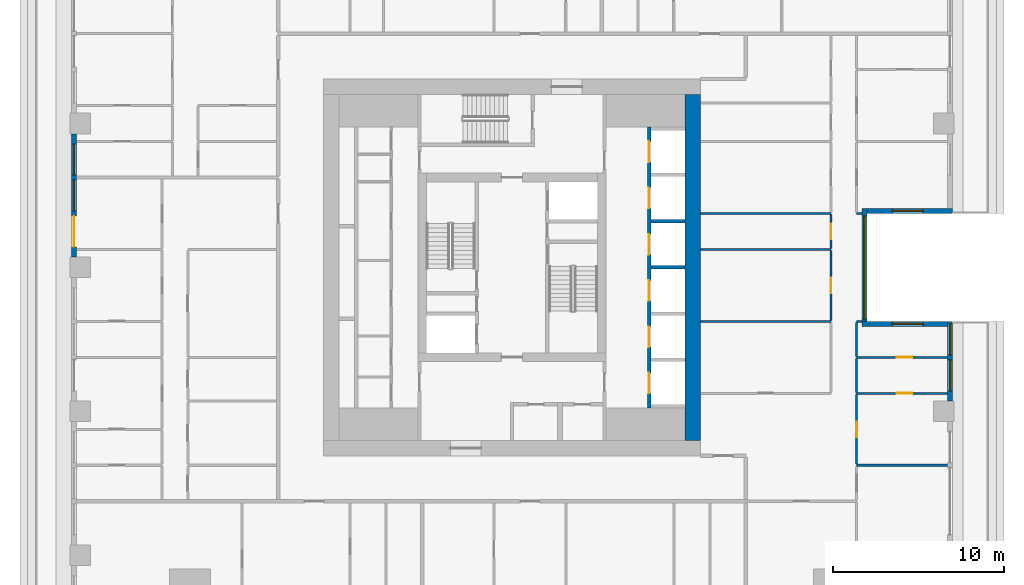
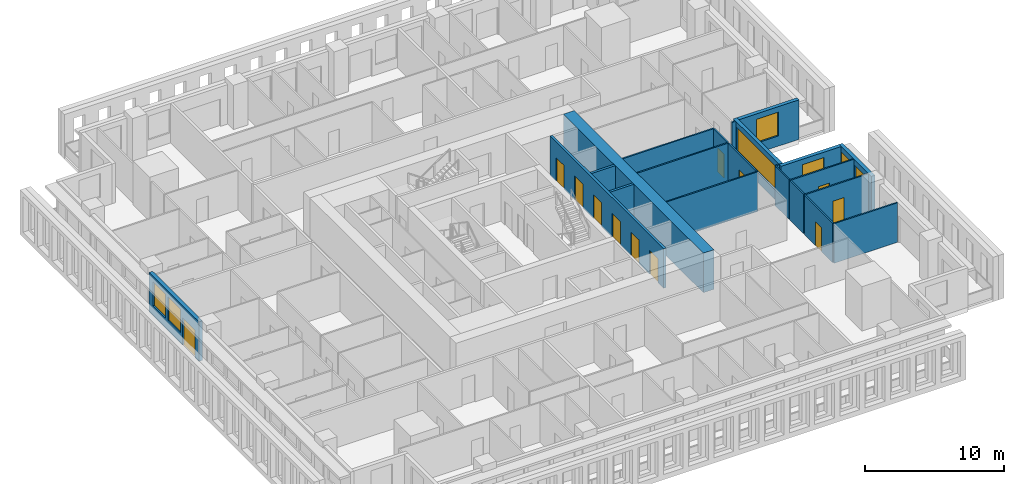
# One storey, part 6 of 16: 22 walls, 12 doors, 7 windows, 19 openings.
"""IFC4 building model written with IfcOpenShell, lengths in metres."""

from ifc_helpers import new_model, si_unit, direction, frame, frame_2d, origin, place, context, subcontext, project, spatial, rectangle, extrude, material, layer, layer_set, type_object, element, fill, save


model = new_model("IFC4")

# Units and contexts
model_context = context("Model", 3, precision=1e-05, world=origin(), true_north=direction((0.0, 1.0)))
body_context = subcontext(model_context, "Body", "Model", "MODEL_VIEW")
ifc_project = project(units=[si_unit("LENGTHUNIT", "METRE"), si_unit("AREAUNIT", "SQUARE_METRE"), si_unit("VOLUMEUNIT", "CUBIC_METRE"), si_unit("PLANEANGLEUNIT", "RADIAN"), si_unit("MASSUNIT", "GRAM", prefix="KILO")], contexts=[model_context])

# Site, building, storey
site_placement = place(None, origin())
site = spatial("IfcSite", under=ifc_project, at=site_placement, CompositionType="ELEMENT")
building_placement = place(site_placement, origin())
building = spatial("IfcBuilding", under=site, at=building_placement, Name="Khepri Terraces", CompositionType="ELEMENT")
storey_placement = place(building_placement, frame((0.0, 0.0, 192.300048828125)))
storey = spatial("IfcBuildingStorey", under=building, at=storey_placement, Name="L45", CompositionType="ELEMENT", Elevation=192.300048828125)

# Wall, openings, doors
ifc_material_1 = material(Name="Concrete C50/60", Category="concrete")
ifc_layer_1 = layer(ifc_material_1, 0.199951171875, Name="Concrete C50/60", Category="concrete")
ifc_layer_set_1 = layer_set([ifc_layer_1], Name="Concrete C50/60")
wall_type_1 = type_object("IfcWallType", Name="Core wall 200 C50/60", PredefinedType="SHEAR", material=ifc_layer_set_1)
wall_1_placement = place(storey_placement, frame((8.0, -8.199951171875, 0.0), z_axis=(0.0, 0.0, 1.0), x_axis=(0.0, 1.0, 0.0)))
wall_1 = element("IfcWall", 1, at=wall_1_placement, inside=storey, type_object=wall_type_1, Name="Core wall SH02 L45", PredefinedType="SHEAR", context=body_context, shape_type="SweptSolid", body=[
    extrude(rectangle(XDim=16.39990234375, YDim=0.199951171875, at=frame_2d((8.199951171875, 0.0))), origin(), (0.0, 0.0, 1.0), 3.47998046875),
])
opening_1_placement = place(wall_1_placement, frame((0.85009765625, 0.0, 0.0)))
opening_1 = element("IfcOpeningElement", 2, at=opening_1_placement, cuts=wall_1, Name="Opening L45-C01", PredefinedType="OPENING", context=body_context, shape_type="SweptSolid", body=[
    extrude(rectangle(XDim=1.199951171875, YDim=2.10009765625, at=frame_2d((0.60009765625, 1.050048828125))), frame((0.0, 0.10986328125, 0.0), z_axis=(0.0, -1.0, 0.0), x_axis=(1.0, 0.0, 0.0)), (0.0, 0.0, 1.0), 0.219970703125),
])
opening_2_placement = place(wall_1_placement, frame((3.550048828125, 0.0, 0.0)))
opening_2 = element("IfcOpeningElement", 3, at=opening_2_placement, cuts=wall_1, Name="Opening L45-C02", PredefinedType="OPENING", context=body_context, shape_type="SweptSolid", body=[
    extrude(rectangle(XDim=1.199951171875, YDim=2.10009765625, at=frame_2d((0.60009765625, 1.050048828125))), frame((0.0, 0.10986328125, 0.0), z_axis=(0.0, -1.0, 0.0), x_axis=(1.0, 0.0, 0.0)), (0.0, 0.0, 1.0), 0.219970703125),
])
opening_3_placement = place(wall_1_placement, frame((6.25, 0.0, 0.0)))
opening_3 = element("IfcOpeningElement", 4, at=opening_3_placement, cuts=wall_1, Name="Opening L45-C03", PredefinedType="OPENING", context=body_context, shape_type="SweptSolid", body=[
    extrude(rectangle(XDim=1.199951171875, YDim=2.10009765625, at=frame_2d((0.60009765625, 1.050048828125))), frame((0.0, 0.10986328125, 0.0), z_axis=(0.0, -1.0, 0.0), x_axis=(1.0, 0.0, 0.0)), (0.0, 0.0, 1.0), 0.219970703125),
])
opening_4_placement = place(wall_1_placement, frame((8.949951171875, 0.0, 0.0)))
opening_4 = element("IfcOpeningElement", 5, at=opening_4_placement, cuts=wall_1, Name="Opening L45-C04", PredefinedType="OPENING", context=body_context, shape_type="SweptSolid", body=[
    extrude(rectangle(XDim=1.199951171875, YDim=2.10009765625, at=frame_2d((0.60009765625, 1.050048828125))), frame((0.0, 0.10986328125, 0.0), z_axis=(0.0, -1.0, 0.0), x_axis=(1.0, 0.0, 0.0)), (0.0, 0.0, 1.0), 0.219970703125),
])
opening_5_placement = place(wall_1_placement, frame((11.64990234375, 0.0, 0.0)))
opening_5 = element("IfcOpeningElement", 6, at=opening_5_placement, cuts=wall_1, Name="Opening L45-C05", PredefinedType="OPENING", context=body_context, shape_type="SweptSolid", body=[
    extrude(rectangle(XDim=1.199951171875, YDim=2.10009765625, at=frame_2d((0.60009765625, 1.050048828125))), frame((0.0, 0.10986328125, 0.0), z_axis=(0.0, -1.0, 0.0), x_axis=(1.0, 0.0, 0.0)), (0.0, 0.0, 1.0), 0.219970703125),
])
opening_6_placement = place(wall_1_placement, frame((14.35009765625, 0.0, 0.0)))
opening_6 = element("IfcOpeningElement", 7, at=opening_6_placement, cuts=wall_1, Name="Opening L45-C06", PredefinedType="OPENING", context=body_context, shape_type="SweptSolid", body=[
    extrude(rectangle(XDim=1.199951171875, YDim=2.10009765625, at=frame_2d((0.60009765625, 1.050048828125))), frame((0.0, 0.10986328125, 0.0), z_axis=(0.0, -1.0, 0.0), x_axis=(1.0, 0.0, 0.0)), (0.0, 0.0, 1.0), 0.219970703125),
])
ifc_material_2 = material(Name="Stainless steel 304", Category="steel")
door_type_1 = type_object("IfcDoorType", Name="DR-CORE-LANDING-1200", OperationType="NOTDEFINED", PredefinedType="DOOR", material=ifc_material_2)
door_1_placement = place(opening_1_placement, origin())
door_1 = element("IfcDoor", 8, at=door_1_placement, inside=storey, type_object=door_type_1, Name="Lift landing door L45-C01", OperationType="SLIDING_TO_LEFT", OverallHeight=2.10009765625, OverallWidth=1.199951171875, PredefinedType="DOOR", context=body_context, shape_type="SweptSolid", body=[
    extrude(rectangle(XDim=1.199951171875, YDim=2.10009765625, at=frame_2d((0.60009765625, 1.050048828125))), frame((0.0, 0.02490234375, 0.0), z_axis=(0.0, -1.0, 0.0), x_axis=(1.0, 0.0, 0.0)), (0.0, 0.0, 1.0), 0.050048828125),
])
fill(opening_1, door_1)
door_2_placement = place(opening_2_placement, origin())
door_2 = element("IfcDoor", 9, at=door_2_placement, inside=storey, type_object=door_type_1, Name="Lift landing door L45-C02", OperationType="SLIDING_TO_LEFT", OverallHeight=2.10009765625, OverallWidth=1.199951171875, PredefinedType="DOOR", context=body_context, shape_type="SweptSolid", body=[
    extrude(rectangle(XDim=1.199951171875, YDim=2.10009765625, at=frame_2d((0.60009765625, 1.050048828125))), frame((0.0, 0.02490234375, 0.0), z_axis=(0.0, -1.0, 0.0), x_axis=(1.0, 0.0, 0.0)), (0.0, 0.0, 1.0), 0.050048828125),
])
fill(opening_2, door_2)
door_3_placement = place(opening_3_placement, origin())
door_3 = element("IfcDoor", 10, at=door_3_placement, inside=storey, type_object=door_type_1, Name="Lift landing door L45-C03", OperationType="SLIDING_TO_LEFT", OverallHeight=2.10009765625, OverallWidth=1.199951171875, PredefinedType="DOOR", context=body_context, shape_type="SweptSolid", body=[
    extrude(rectangle(XDim=1.199951171875, YDim=2.10009765625, at=frame_2d((0.60009765625, 1.050048828125))), frame((0.0, 0.02490234375, 0.0), z_axis=(0.0, -1.0, 0.0), x_axis=(1.0, 0.0, 0.0)), (0.0, 0.0, 1.0), 0.050048828125),
])
fill(opening_3, door_3)
door_4_placement = place(opening_4_placement, origin())
door_4 = element("IfcDoor", 11, at=door_4_placement, inside=storey, type_object=door_type_1, Name="Lift landing door L45-C04", OperationType="SLIDING_TO_LEFT", OverallHeight=2.10009765625, OverallWidth=1.199951171875, PredefinedType="DOOR", context=body_context, shape_type="SweptSolid", body=[
    extrude(rectangle(XDim=1.199951171875, YDim=2.10009765625, at=frame_2d((0.60009765625, 1.050048828125))), frame((0.0, 0.02490234375, 0.0), z_axis=(0.0, -1.0, 0.0), x_axis=(1.0, 0.0, 0.0)), (0.0, 0.0, 1.0), 0.050048828125),
])
fill(opening_4, door_4)
door_5_placement = place(opening_5_placement, origin())
door_5 = element("IfcDoor", 12, at=door_5_placement, inside=storey, type_object=door_type_1, Name="Lift landing door L45-C05", OperationType="SLIDING_TO_LEFT", OverallHeight=2.10009765625, OverallWidth=1.199951171875, PredefinedType="DOOR", context=body_context, shape_type="SweptSolid", body=[
    extrude(rectangle(XDim=1.199951171875, YDim=2.10009765625, at=frame_2d((0.60009765625, 1.050048828125))), frame((0.0, 0.02490234375, 0.0), z_axis=(0.0, -1.0, 0.0), x_axis=(1.0, 0.0, 0.0)), (0.0, 0.0, 1.0), 0.050048828125),
])
fill(opening_5, door_5)
door_6_placement = place(opening_6_placement, origin())
door_6 = element("IfcDoor", 13, at=door_6_placement, inside=storey, type_object=door_type_1, Name="Lift landing door L45-C06", OperationType="SLIDING_TO_LEFT", OverallHeight=2.10009765625, OverallWidth=1.199951171875, PredefinedType="DOOR", context=body_context, shape_type="SweptSolid", body=[
    extrude(rectangle(XDim=1.199951171875, YDim=2.10009765625, at=frame_2d((0.60009765625, 1.050048828125))), frame((0.0, 0.02490234375, 0.0), z_axis=(0.0, -1.0, 0.0), x_axis=(1.0, 0.0, 0.0)), (0.0, 0.0, 1.0), 0.050048828125),
])
fill(opening_6, door_6)

# Walls
for number, where, z_axis, x_axis, name in (
    (14, (8.10009765625, 0.0, 0.0), (0.0, 0.0, 1.0), (1.0, 0.0, 0.0), "Core wall SH09 L45"),
    (15, (8.10009765625, 2.699951171875, 0.0), (0.0, 0.0, 1.0), (1.0, 0.0, 0.0), "Core wall SH13 L45"),
):
    element("IfcWall", number, at=place(storey_placement, frame(where, z_axis=z_axis, x_axis=x_axis)), inside=storey, type_object=wall_type_1, Name=name, PredefinedType="SHEAR", context=body_context, shape_type="SweptSolid", body=[
        extrude(rectangle(XDim=2.0, YDim=0.199951171875, at=frame_2d((1.0, 0.0))), origin(), (0.0, 0.0, 1.0), 3.47998046875),
    ])
ifc_layer_2 = layer(ifc_material_1, 0.89990234375, Name="Concrete C50/60", Category="concrete")
ifc_layer_set_2 = layer_set([ifc_layer_2], Name="Concrete C50/60")
wall_type_2 = type_object("IfcWallType", Name="Core wall 900 C50/60", PredefinedType="SHEAR", material=ifc_layer_set_2)
wall_2_placement = place(storey_placement, frame((10.550048828125, -10.10009765625, 0.0), z_axis=(0.0, 0.0, 1.0), x_axis=(0.0, 1.0, 0.0)))
element("IfcWall", 16, at=wall_2_placement, inside=storey, type_object=wall_type_2, Name="Core wall OW-E L45", PredefinedType="SHEAR", context=body_context, shape_type="SweptSolid", body=[
    extrude(rectangle(XDim=20.2001953125, YDim=0.89990234375, at=frame_2d((10.10009765625, 0.0))), origin(), (0.0, 0.0, 1.0), 3.47998046875),
])

# Wall, openings, windows
ifc_material_3 = material(Name="Precast concrete C50/60 warm stone", Category="masonry")
ifc_layer_3 = layer(ifc_material_3, 0.300048828125, Name="Precast concrete C50/60 warm stone", Category="masonry")
ifc_layer_set_3 = layer_set([ifc_layer_3], Name="Precast concrete C50/60 warm stone")
wall_type_3 = type_object("IfcWallType", Name="WL-EXT-PRECAST-300", PredefinedType="STANDARD", material=ifc_layer_set_3)
wall_3_placement = place(storey_placement, frame((25.570068359375, -7.800048828125, 0.0), z_axis=(0.0, 0.0, 1.0), x_axis=(0.0, 1.0, 0.0)))
wall_3 = element("IfcWall", 17, at=wall_3_placement, inside=storey, type_object=wall_type_3, Name="External wall L45 E", PredefinedType="STANDARD", context=body_context, shape_type="SweptSolid", body=[
    extrude(rectangle(XDim=4.650146484375, YDim=0.300048828125, at=frame_2d((2.3251953125, 0.0))), origin(), (0.0, 0.0, 1.0), 3.47998046875),
])
opening_7_placement = place(wall_3_placement, frame((0.60009765625, 0.0, 0.89990234375)))
opening_7 = element("IfcOpeningElement", 18, at=opening_7_placement, cuts=wall_3, Name="Opening W1", PredefinedType="OPENING", context=body_context, shape_type="SweptSolid", body=[
    extrude(rectangle(XDim=1.800048828125, YDim=2.10009765625, at=frame_2d((0.89990234375, 1.050048828125))), frame((0.0, 0.16015625, 0.0), z_axis=(0.0, -1.0, 0.0), x_axis=(1.0, 0.0, 0.0)), (0.0, 0.0, 1.0), 0.320068359375),
])
opening_8_placement = place(wall_3_placement, frame((2.699951171875, 0.0, 0.89990234375)))
opening_8 = element("IfcOpeningElement", 19, at=opening_8_placement, cuts=wall_3, Name="Opening W1", PredefinedType="OPENING", context=body_context, shape_type="SweptSolid", body=[
    extrude(rectangle(XDim=1.800048828125, YDim=2.10009765625, at=frame_2d((0.89990234375, 1.050048828125))), frame((0.0, 0.16015625, 0.0), z_axis=(0.0, -1.0, 0.0), x_axis=(1.0, 0.0, 0.0)), (0.0, 0.0, 1.0), 0.320068359375),
])
ifc_material_4 = material(Name="Clear glass", Category="glass")
window_type_1 = type_object("IfcWindowType", Name="WIN-RES-1800x2100", PartitioningType="SINGLE_PANEL", PredefinedType="WINDOW", material=ifc_material_4)
window_1_placement = place(opening_7_placement, origin())
window_1 = element("IfcWindow", 20, at=window_1_placement, inside=storey, type_object=window_type_1, Name="Window L45 E", OverallHeight=2.10009765625, OverallWidth=1.800048828125, PartitioningType="SINGLE_PANEL", PredefinedType="WINDOW", context=body_context, shape_type="SweptSolid", body=[
    extrude(rectangle(XDim=1.800048828125, YDim=2.10009765625, at=frame_2d((0.89990234375, 1.050048828125))), frame((0.0, 0.030029296875, 0.0), z_axis=(0.0, -1.0, 0.0), x_axis=(1.0, 0.0, 0.0)), (0.0, 0.0, 1.0), 0.06005859375),
])
fill(opening_7, window_1)
window_2_placement = place(opening_8_placement, origin())
window_2 = element("IfcWindow", 21, at=window_2_placement, inside=storey, type_object=window_type_1, Name="Window L45 E", OverallHeight=2.10009765625, OverallWidth=1.800048828125, PartitioningType="SINGLE_PANEL", PredefinedType="WINDOW", context=body_context, shape_type="SweptSolid", body=[
    extrude(rectangle(XDim=1.800048828125, YDim=2.10009765625, at=frame_2d((0.89990234375, 1.050048828125))), frame((0.0, 0.030029296875, 0.0), z_axis=(0.0, -1.0, 0.0), x_axis=(1.0, 0.0, 0.0)), (0.0, 0.0, 1.0), 0.06005859375),
])
fill(opening_8, window_2)

# Wall, opening, window
wall_4_placement = place(storey_placement, frame((25.419921875, -3.300048828125, 0.0), z_axis=(0.0, 0.0, 1.0), x_axis=(-1.0, 0.0, 0.0)))
wall_4 = element("IfcWall", 22, at=wall_4_placement, inside=storey, type_object=wall_type_3, Name="External wall L45 N", PredefinedType="STANDARD", context=body_context, shape_type="SweptSolid", body=[
    extrude(rectangle(XDim=5.0, YDim=0.300048828125, at=frame_2d((2.5, 0.0))), origin(), (0.0, 0.0, 1.0), 3.47998046875),
])
opening_9_placement = place(wall_4_placement, frame((1.419921875, 0.0, 0.89990234375)))
opening_9 = element("IfcOpeningElement", 23, at=opening_9_placement, cuts=wall_4, Name="Opening W1", PredefinedType="OPENING", context=body_context, shape_type="SweptSolid", body=[
    extrude(rectangle(XDim=1.800048828125, YDim=2.10009765625, at=frame_2d((0.89990234375, 1.050048828125))), frame((0.0, 0.16015625, 0.0), z_axis=(0.0, -1.0, 0.0), x_axis=(1.0, 0.0, 0.0)), (0.0, 0.0, 1.0), 0.320068359375),
])
window_3_placement = place(opening_9_placement, origin())
window_3 = element("IfcWindow", 24, at=window_3_placement, inside=storey, type_object=window_type_1, Name="Window L45 N", OverallHeight=2.10009765625, OverallWidth=1.800048828125, PartitioningType="SINGLE_PANEL", PredefinedType="WINDOW", context=body_context, shape_type="SweptSolid", body=[
    extrude(rectangle(XDim=1.800048828125, YDim=2.10009765625, at=frame_2d((0.89990234375, 1.050048828125))), frame((0.0, 0.030029296875, 0.0), z_axis=(0.0, -1.0, 0.0), x_axis=(1.0, 0.0, 0.0)), (0.0, 0.0, 1.0), 0.06005859375),
])
fill(opening_9, window_3)

wall_5_placement = place(storey_placement, frame((20.570068359375, -3.14990234375, 0.0), z_axis=(0.0, 0.0, 1.0), x_axis=(0.0, 1.0, 0.0)))
wall_5 = element("IfcWall", 25, at=wall_5_placement, inside=storey, type_object=wall_type_3, Name="External wall L45 E", PredefinedType="STANDARD", context=body_context, shape_type="SweptSolid", body=[
    extrude(rectangle(XDim=6.599853515625, YDim=0.300048828125, at=frame_2d((3.2998046875, 0.0))), origin(), (0.0, 0.0, 1.0), 3.47998046875),
])
opening_10_placement = place(wall_5_placement, frame((0.14990234375, 0.0, 0.89990234375)))
opening_10 = element("IfcOpeningElement", 26, at=opening_10_placement, cuts=wall_5, Name="Opening W3", PredefinedType="OPENING", context=body_context, shape_type="SweptSolid", body=[
    extrude(rectangle(XDim=6.0, YDim=2.10009765625, at=frame_2d((3.0, 1.050048828125))), frame((0.0, 0.16015625, 0.0), z_axis=(0.0, -1.0, 0.0), x_axis=(1.0, 0.0, 0.0)), (0.0, 0.0, 1.0), 0.320068359375),
])
window_type_2 = type_object("IfcWindowType", Name="WIN-RES-6000x2100", PartitioningType="SINGLE_PANEL", PredefinedType="WINDOW", material=ifc_material_4)
window_4_placement = place(opening_10_placement, origin())
window_4 = element("IfcWindow", 27, at=window_4_placement, inside=storey, type_object=window_type_2, Name="Window L45 E", OverallHeight=2.10009765625, OverallWidth=6.0, PartitioningType="SINGLE_PANEL", PredefinedType="WINDOW", context=body_context, shape_type="SweptSolid", body=[
    extrude(rectangle(XDim=6.0, YDim=2.10009765625, at=frame_2d((3.0, 1.050048828125))), frame((0.0, 0.030029296875, 0.0), z_axis=(0.0, -1.0, 0.0), x_axis=(1.0, 0.0, 0.0)), (0.0, 0.0, 1.0), 0.06005859375),
])
fill(opening_10, window_4)

wall_6_placement = place(storey_placement, frame((20.719970703125, 3.300048828125, 0.0), z_axis=(0.0, 0.0, 1.0), x_axis=(1.0, 0.0, 0.0)))
wall_6 = element("IfcWall", 28, at=wall_6_placement, inside=storey, type_object=wall_type_3, Name="External wall L45 S", PredefinedType="STANDARD", context=body_context, shape_type="SweptSolid", body=[
    extrude(rectangle(XDim=5.0, YDim=0.300048828125, at=frame_2d((2.5, 0.0))), origin(), (0.0, 0.0, 1.0), 3.47998046875),
])
opening_11_placement = place(wall_6_placement, frame((1.47998046875, 0.0, 0.89990234375)))
opening_11 = element("IfcOpeningElement", 29, at=opening_11_placement, cuts=wall_6, Name="Opening W1", PredefinedType="OPENING", context=body_context, shape_type="SweptSolid", body=[
    extrude(rectangle(XDim=1.800048828125, YDim=2.10009765625, at=frame_2d((0.89990234375, 1.050048828125))), frame((0.0, 0.16015625, 0.0), z_axis=(0.0, -1.0, 0.0), x_axis=(1.0, 0.0, 0.0)), (0.0, 0.0, 1.0), 0.320068359375),
])
window_5_placement = place(opening_11_placement, origin())
window_5 = element("IfcWindow", 30, at=window_5_placement, inside=storey, type_object=window_type_1, Name="Window L45 S", OverallHeight=2.10009765625, OverallWidth=1.800048828125, PartitioningType="SINGLE_PANEL", PredefinedType="WINDOW", context=body_context, shape_type="SweptSolid", body=[
    extrude(rectangle(XDim=1.800048828125, YDim=2.10009765625, at=frame_2d((0.89990234375, 1.050048828125))), frame((0.0, 0.030029296875, 0.0), z_axis=(0.0, -1.0, 0.0), x_axis=(1.0, 0.0, 0.0)), (0.0, 0.0, 1.0), 0.06005859375),
])
fill(opening_11, window_5)

# Wall, openings, door, windows
wall_7_placement = place(storey_placement, frame((-25.570068359375, 7.800048828125, 0.0), z_axis=(0.0, 0.0, 1.0), x_axis=(0.0, -1.0, 0.0)))
wall_7 = element("IfcWall", 31, at=wall_7_placement, inside=storey, type_object=wall_type_3, Name="External wall L45 W", PredefinedType="STANDARD", context=body_context, shape_type="SweptSolid", body=[
    extrude(rectangle(XDim=7.199951171875, YDim=0.300048828125, at=frame_2d((3.60009765625, 0.0))), origin(), (0.0, 0.0, 1.0), 3.47998046875),
])
opening_12_placement = place(wall_7_placement, frame((0.60009765625, 0.0, 0.89990234375)))
opening_12 = element("IfcOpeningElement", 32, at=opening_12_placement, cuts=wall_7, Name="Opening W1", PredefinedType="OPENING", context=body_context, shape_type="SweptSolid", body=[
    extrude(rectangle(XDim=1.800048828125, YDim=2.10009765625, at=frame_2d((0.89990234375, 1.050048828125))), frame((0.0, 0.16015625, 0.0), z_axis=(0.0, -1.0, 0.0), x_axis=(1.0, 0.0, 0.0)), (0.0, 0.0, 1.0), 0.320068359375),
])
opening_13_placement = place(wall_7_placement, frame((2.699951171875, 0.0, 0.89990234375)))
opening_13 = element("IfcOpeningElement", 33, at=opening_13_placement, cuts=wall_7, Name="Opening W1", PredefinedType="OPENING", context=body_context, shape_type="SweptSolid", body=[
    extrude(rectangle(XDim=1.800048828125, YDim=2.10009765625, at=frame_2d((0.89990234375, 1.050048828125))), frame((0.0, 0.16015625, 0.0), z_axis=(0.0, -1.0, 0.0), x_axis=(1.0, 0.0, 0.0)), (0.0, 0.0, 1.0), 0.320068359375),
])
opening_14_placement = place(wall_7_placement, frame((4.800048828125, 0.0, 0.0)))
opening_14 = element("IfcOpeningElement", 34, at=opening_14_placement, cuts=wall_7, Name="Opening ED-L45-14", PredefinedType="OPENING", context=body_context, shape_type="SweptSolid", body=[
    extrude(rectangle(XDim=1.800048828125, YDim=2.39990234375, at=frame_2d((0.89990234375, 1.199951171875))), frame((0.0, 0.16015625, 0.0), z_axis=(0.0, -1.0, 0.0), x_axis=(1.0, 0.0, 0.0)), (0.0, 0.0, 1.0), 0.320068359375),
])
ifc_material_5 = material(Name="Anodised aluminium bronze glazed door", Category="aluminium")
door_type_2 = type_object("IfcDoorType", Name="DR-BAL-SLIDE-1800x2400", OperationType="NOTDEFINED", PredefinedType="DOOR", material=ifc_material_5)
door_7_placement = place(opening_14_placement, origin())
door_7 = element("IfcDoor", 35, at=door_7_placement, inside=storey, type_object=door_type_2, Name="Balcony door L45 W", OperationType="SLIDING_TO_RIGHT", OverallHeight=2.39990234375, OverallWidth=1.800048828125, PredefinedType="DOOR", context=body_context, shape_type="SweptSolid", body=[
    extrude(rectangle(XDim=1.800048828125, YDim=2.39990234375, at=frame_2d((0.89990234375, 1.199951171875))), frame((0.0, 0.02490234375, 0.0), z_axis=(0.0, -1.0, 0.0), x_axis=(1.0, 0.0, 0.0)), (0.0, 0.0, 1.0), 0.050048828125),
])
fill(opening_14, door_7)
window_6_placement = place(opening_12_placement, origin())
window_6 = element("IfcWindow", 36, at=window_6_placement, inside=storey, type_object=window_type_1, Name="Window L45 W", OverallHeight=2.10009765625, OverallWidth=1.800048828125, PartitioningType="SINGLE_PANEL", PredefinedType="WINDOW", context=body_context, shape_type="SweptSolid", body=[
    extrude(rectangle(XDim=1.800048828125, YDim=2.10009765625, at=frame_2d((0.89990234375, 1.050048828125))), frame((0.0, 0.030029296875, 0.0), z_axis=(0.0, -1.0, 0.0), x_axis=(1.0, 0.0, 0.0)), (0.0, 0.0, 1.0), 0.06005859375),
])
fill(opening_12, window_6)
window_7_placement = place(opening_13_placement, origin())
window_7 = element("IfcWindow", 37, at=window_7_placement, inside=storey, type_object=window_type_1, Name="Window L45 W", OverallHeight=2.10009765625, OverallWidth=1.800048828125, PartitioningType="SINGLE_PANEL", PredefinedType="WINDOW", context=body_context, shape_type="SweptSolid", body=[
    extrude(rectangle(XDim=1.800048828125, YDim=2.10009765625, at=frame_2d((0.89990234375, 1.050048828125))), frame((0.0, 0.030029296875, 0.0), z_axis=(0.0, -1.0, 0.0), x_axis=(1.0, 0.0, 0.0)), (0.0, 0.0, 1.0), 0.06005859375),
])
fill(opening_13, window_7)

# Wall
ifc_material_6 = material(Name="Gypsum plasterboard partition")
ifc_layer_4 = layer(ifc_material_6, 0.1201171875, Name="Gypsum plasterboard partition")
ifc_layer_set_4 = layer_set([ifc_layer_4], Name="Gypsum plasterboard partition")
wall_type_4 = type_object("IfcWallType", Name="WL-PART-120", PredefinedType="PARTITIONING", material=ifc_layer_set_4)
wall_8_placement = place(storey_placement, frame((20.1201171875, -11.550048828125, 0.0), z_axis=(0.0, 0.0, 1.0), x_axis=(1.0, 0.0, 0.0)))
element("IfcWall", 38, at=wall_8_placement, inside=storey, type_object=wall_type_4, Name="Partition P-034 L45", PredefinedType="PARTITIONING", context=body_context, shape_type="SweptSolid", body=[
    extrude(rectangle(XDim=5.2998046875, YDim=0.1201171875, at=frame_2d((2.64990234375, 0.0))), origin(), (0.0, 0.0, 1.0), 3.47998046875),
])

# Wall, opening, door
wall_9_placement = place(storey_placement, frame((20.1201171875, -11.489990234375, 0.0), z_axis=(0.0, 0.0, 1.0), x_axis=(0.0, 1.0, 0.0)))
wall_9 = element("IfcWall", 39, at=wall_9_placement, inside=storey, type_object=wall_type_4, Name="Partition P-037 L45", PredefinedType="PARTITIONING", context=body_context, shape_type="SweptSolid", body=[
    extrude(rectangle(XDim=4.080078125, YDim=0.1201171875, at=frame_2d((2.0400390625, 0.0))), origin(), (0.0, 0.0, 1.0), 3.47998046875),
])
opening_15_placement = place(wall_9_placement, frame((1.590087890625, 0.0, 0.0)))
opening_15 = element("IfcOpeningElement", 40, at=opening_15_placement, cuts=wall_9, Name="Opening D3", PredefinedType="OPENING", context=body_context, shape_type="SweptSolid", body=[
    extrude(rectangle(XDim=0.89990234375, YDim=2.10009765625, at=frame_2d((0.449951171875, 1.050048828125))), frame((0.0, 0.070068359375, 0.0), z_axis=(0.0, -1.0, 0.0), x_axis=(1.0, 0.0, 0.0)), (0.0, 0.0, 1.0), 0.14013671875),
])
ifc_material_7 = material(Name="Timber door leaf", Category="wood")
door_type_3 = type_object("IfcDoorType", Name="DR-INT-900", OperationType="NOTDEFINED", PredefinedType="DOOR", material=ifc_material_7)
door_8_placement = place(opening_15_placement, frame((0.89990234375, 0.0, 0.0), z_axis=(0.0, 0.0, 1.0), x_axis=(-1.0, 0.0, 0.0)))
door_8 = element("IfcDoor", 41, at=door_8_placement, inside=storey, type_object=door_type_3, Name="Door Master Bedroom", OperationType="SINGLE_SWING_LEFT", OverallHeight=2.10009765625, OverallWidth=0.89990234375, PredefinedType="DOOR", context=body_context, shape_type="SweptSolid", body=[
    extrude(rectangle(XDim=0.89990234375, YDim=2.10009765625, at=frame_2d((0.449951171875, 1.050048828125))), frame((0.0, 0.02490234375, 0.0), z_axis=(0.0, -1.0, 0.0), x_axis=(1.0, 0.0, 0.0)), (0.0, 0.0, 1.0), 0.050048828125),
])
fill(opening_15, door_8)

wall_10_placement = place(storey_placement, frame((20.1201171875, -7.35009765625, 0.0), z_axis=(0.0, 0.0, 1.0), x_axis=(1.0, 0.0, 0.0)))
wall_10 = element("IfcWall", 42, at=wall_10_placement, inside=storey, type_object=wall_type_4, Name="Partition P-044 L45", PredefinedType="PARTITIONING", context=body_context, shape_type="SweptSolid", body=[
    extrude(rectangle(XDim=5.2998046875, YDim=0.1201171875, at=frame_2d((2.64990234375, 0.0))), origin(), (0.0, 0.0, 1.0), 3.47998046875),
])
opening_16_placement = place(wall_10_placement, frame((2.35009765625, 0.0, 0.0)))
opening_16 = element("IfcOpeningElement", 43, at=opening_16_placement, cuts=wall_10, Name="Opening D3", PredefinedType="OPENING", context=body_context, shape_type="SweptSolid", body=[
    extrude(rectangle(XDim=0.89990234375, YDim=2.10009765625, at=frame_2d((0.449951171875, 1.050048828125))), frame((0.0, 0.070068359375, 0.0), z_axis=(0.0, -1.0, 0.0), x_axis=(1.0, 0.0, 0.0)), (0.0, 0.0, 1.0), 0.14013671875),
])
door_9_placement = place(opening_16_placement, origin())
door_9 = element("IfcDoor", 44, at=door_9_placement, inside=storey, type_object=door_type_3, Name="Door Dressing Room", OperationType="SINGLE_SWING_RIGHT", OverallHeight=2.10009765625, OverallWidth=0.89990234375, PredefinedType="DOOR", context=body_context, shape_type="SweptSolid", body=[
    extrude(rectangle(XDim=0.89990234375, YDim=2.10009765625, at=frame_2d((0.449951171875, 1.050048828125))), frame((0.0, 0.02490234375, 0.0), z_axis=(0.0, -1.0, 0.0), x_axis=(1.0, 0.0, 0.0)), (0.0, 0.0, 1.0), 0.050048828125),
])
fill(opening_16, door_9)

# Wall
wall_11_placement = place(storey_placement, frame((20.1201171875, -7.2900390625, 0.0), z_axis=(0.0, 0.0, 1.0), x_axis=(0.0, 1.0, 0.0)))
element("IfcWall", 45, at=wall_11_placement, inside=storey, type_object=wall_type_4, Name="Partition P-046 L45", PredefinedType="PARTITIONING", context=body_context, shape_type="SweptSolid", body=[
    extrude(rectangle(XDim=1.97998046875, YDim=0.1201171875, at=frame_2d((0.989990234375, 0.0))), origin(), (0.0, 0.0, 1.0), 3.47998046875),
])

# Wall, opening, door
wall_12_placement = place(storey_placement, frame((20.1201171875, -5.25, 0.0), z_axis=(0.0, 0.0, 1.0), x_axis=(1.0, 0.0, 0.0)))
wall_12 = element("IfcWall", 46, at=wall_12_placement, inside=storey, type_object=wall_type_4, Name="Partition P-049 L45", PredefinedType="PARTITIONING", context=body_context, shape_type="SweptSolid", body=[
    extrude(rectangle(XDim=5.2998046875, YDim=0.1201171875, at=frame_2d((2.64990234375, 0.0))), origin(), (0.0, 0.0, 1.0), 3.47998046875),
])
opening_17_placement = place(wall_12_placement, frame((2.35009765625, 0.0, 0.0)))
opening_17 = element("IfcOpeningElement", 47, at=opening_17_placement, cuts=wall_12, Name="Opening D4", PredefinedType="OPENING", context=body_context, shape_type="SweptSolid", body=[
    extrude(rectangle(XDim=0.89990234375, YDim=2.10009765625, at=frame_2d((0.449951171875, 1.050048828125))), frame((0.0, 0.070068359375, 0.0), z_axis=(0.0, -1.0, 0.0), x_axis=(1.0, 0.0, 0.0)), (0.0, 0.0, 1.0), 0.14013671875),
])
ifc_material_8 = material(Name="Timber door leaf, moisture resistant", Category="wood")
door_type_4 = type_object("IfcDoorType", Name="DR-WET-900", OperationType="NOTDEFINED", PredefinedType="DOOR", material=ifc_material_8)
door_10_placement = place(opening_17_placement, origin())
door_10 = element("IfcDoor", 48, at=door_10_placement, inside=storey, type_object=door_type_4, Name="Door Bathroom", OperationType="SINGLE_SWING_RIGHT", OverallHeight=2.10009765625, OverallWidth=0.89990234375, PredefinedType="DOOR", context=body_context, shape_type="SweptSolid", body=[
    extrude(rectangle(XDim=0.89990234375, YDim=2.10009765625, at=frame_2d((0.449951171875, 1.050048828125))), frame((0.0, 0.02490234375, 0.0), z_axis=(0.0, -1.0, 0.0), x_axis=(1.0, 0.0, 0.0)), (0.0, 0.0, 1.0), 0.050048828125),
])
fill(opening_17, door_10)

# Walls
wall_13_placement = place(storey_placement, frame((20.1201171875, -5.18994140625, 0.0), z_axis=(0.0, 0.0, 1.0), x_axis=(0.0, 1.0, 0.0)))
element("IfcWall", 49, at=wall_13_placement, inside=storey, type_object=wall_type_4, Name="Partition P-052 L45", PredefinedType="PARTITIONING", context=body_context, shape_type="SweptSolid", body=[
    extrude(rectangle(XDim=1.97998046875, YDim=0.1201171875, at=frame_2d((0.989990234375, 0.0))), origin(), (0.0, 0.0, 1.0), 3.47998046875),
])
wall_14_placement = place(storey_placement, frame((11.0, -3.14990234375, 0.0), z_axis=(0.0, 0.0, 1.0), x_axis=(1.0, 0.0, 0.0)))
element("IfcWall", 50, at=wall_14_placement, inside=storey, type_object=wall_type_4, Name="Partition P-054 L45", PredefinedType="PARTITIONING", context=body_context, shape_type="SweptSolid", body=[
    extrude(rectangle(XDim=7.6201171875, YDim=0.1201171875, at=frame_2d((3.81005859375, 0.0))), origin(), (0.0, 0.0, 1.0), 3.47998046875),
])
wall_15_placement = place(storey_placement, frame((20.1201171875, -3.14990234375, 0.0), z_axis=(0.0, 0.0, 1.0), x_axis=(1.0, 0.0, 0.0)))
element("IfcWall", 51, at=wall_15_placement, inside=storey, type_object=wall_type_4, Name="Partition P-055 L45", PredefinedType="PARTITIONING", context=body_context, shape_type="SweptSolid", body=[
    extrude(rectangle(XDim=0.2998046875, YDim=0.1201171875, at=frame_2d((0.14990234375, 0.0))), origin(), (0.0, 0.0, 1.0), 3.47998046875),
])

# Wall, opening, door
wall_16_placement = place(storey_placement, frame((18.6201171875, -3.090087890625, 0.0), z_axis=(0.0, 0.0, 1.0), x_axis=(0.0, 1.0, 0.0)))
wall_16 = element("IfcWall", 52, at=wall_16_placement, inside=storey, type_object=wall_type_4, Name="Partition P-057 L45", PredefinedType="PARTITIONING", context=body_context, shape_type="SweptSolid", body=[
    extrude(rectangle(XDim=4.080078125, YDim=0.1201171875, at=frame_2d((2.0400390625, 0.0))), origin(), (0.0, 0.0, 1.0), 3.47998046875),
])
opening_18_placement = place(wall_16_placement, frame((1.590087890625, 0.0, 0.0)))
opening_18 = element("IfcOpeningElement", 53, at=opening_18_placement, cuts=wall_16, Name="Opening D3", PredefinedType="OPENING", context=body_context, shape_type="SweptSolid", body=[
    extrude(rectangle(XDim=0.89990234375, YDim=2.10009765625, at=frame_2d((0.449951171875, 1.050048828125))), frame((0.0, 0.070068359375, 0.0), z_axis=(0.0, -1.0, 0.0), x_axis=(1.0, 0.0, 0.0)), (0.0, 0.0, 1.0), 0.14013671875),
])
door_11_placement = place(opening_18_placement, origin())
door_11 = element("IfcDoor", 54, at=door_11_placement, inside=storey, type_object=door_type_3, Name="Door Service Store", OperationType="SINGLE_SWING_RIGHT", OverallHeight=2.10009765625, OverallWidth=0.89990234375, PredefinedType="DOOR", context=body_context, shape_type="SweptSolid", body=[
    extrude(rectangle(XDim=0.89990234375, YDim=2.10009765625, at=frame_2d((0.449951171875, 1.050048828125))), frame((0.0, 0.02490234375, 0.0), z_axis=(0.0, -1.0, 0.0), x_axis=(1.0, 0.0, 0.0)), (0.0, 0.0, 1.0), 0.050048828125),
])
fill(opening_18, door_11)

# Wall
wall_17_placement = place(storey_placement, frame((11.0, 1.050048828125, 0.0), z_axis=(0.0, 0.0, 1.0), x_axis=(1.0, 0.0, 0.0)))
element("IfcWall", 55, at=wall_17_placement, inside=storey, type_object=wall_type_4, Name="Partition P-060 L45", PredefinedType="PARTITIONING", context=body_context, shape_type="SweptSolid", body=[
    extrude(rectangle(XDim=7.6201171875, YDim=0.1201171875, at=frame_2d((3.81005859375, 0.0))), origin(), (0.0, 0.0, 1.0), 3.47998046875),
])

# Wall, opening, door
wall_18_placement = place(storey_placement, frame((18.6201171875, 1.110107421875, 0.0), z_axis=(0.0, 0.0, 1.0), x_axis=(0.0, 1.0, 0.0)))
wall_18 = element("IfcWall", 56, at=wall_18_placement, inside=storey, type_object=wall_type_4, Name="Partition P-062 L45", PredefinedType="PARTITIONING", context=body_context, shape_type="SweptSolid", body=[
    extrude(rectangle(XDim=1.97998046875, YDim=0.1201171875, at=frame_2d((0.989990234375, 0.0))), origin(), (0.0, 0.0, 1.0), 3.47998046875),
])
opening_19_placement = place(wall_18_placement, frame((0.5400390625, 0.0, 0.0)))
opening_19 = element("IfcOpeningElement", 57, at=opening_19_placement, cuts=wall_18, Name="Opening D4", PredefinedType="OPENING", context=body_context, shape_type="SweptSolid", body=[
    extrude(rectangle(XDim=0.89990234375, YDim=2.10009765625, at=frame_2d((0.449951171875, 1.050048828125))), frame((0.0, 0.070068359375, 0.0), z_axis=(0.0, -1.0, 0.0), x_axis=(1.0, 0.0, 0.0)), (0.0, 0.0, 1.0), 0.14013671875),
])
door_12_placement = place(opening_19_placement, origin())
door_12 = element("IfcDoor", 58, at=door_12_placement, inside=storey, type_object=door_type_4, Name="Door Powder Room", OperationType="SINGLE_SWING_RIGHT", OverallHeight=2.10009765625, OverallWidth=0.89990234375, PredefinedType="DOOR", context=body_context, shape_type="SweptSolid", body=[
    extrude(rectangle(XDim=0.89990234375, YDim=2.10009765625, at=frame_2d((0.449951171875, 1.050048828125))), frame((0.0, 0.02490234375, 0.0), z_axis=(0.0, -1.0, 0.0), x_axis=(1.0, 0.0, 0.0)), (0.0, 0.0, 1.0), 0.050048828125),
])
fill(opening_19, door_12)

# Walls
wall_19_placement = place(storey_placement, frame((11.0, 3.14990234375, 0.0), z_axis=(0.0, 0.0, 1.0), x_axis=(1.0, 0.0, 0.0)))
element("IfcWall", 59, at=wall_19_placement, inside=storey, type_object=wall_type_4, Name="Partition P-063 L45", PredefinedType="PARTITIONING", context=body_context, shape_type="SweptSolid", body=[
    extrude(rectangle(XDim=7.6201171875, YDim=0.1201171875, at=frame_2d((3.81005859375, 0.0))), origin(), (0.0, 0.0, 1.0), 3.47998046875),
])
wall_20_placement = place(storey_placement, frame((20.1201171875, 3.14990234375, 0.0), z_axis=(0.0, 0.0, 1.0), x_axis=(1.0, 0.0, 0.0)))
element("IfcWall", 60, at=wall_20_placement, inside=storey, type_object=wall_type_4, Name="Partition P-064 L45", PredefinedType="PARTITIONING", context=body_context, shape_type="SweptSolid", body=[
    extrude(rectangle(XDim=0.2998046875, YDim=0.1201171875, at=frame_2d((0.14990234375, 0.0))), origin(), (0.0, 0.0, 1.0), 3.47998046875),
])

save(model, "model.ifc")
